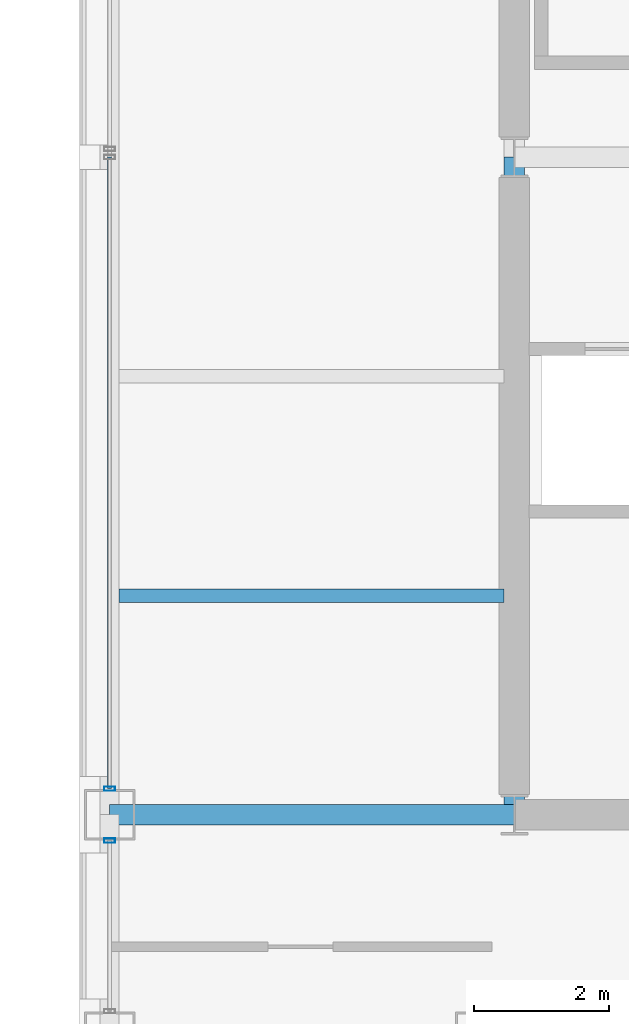
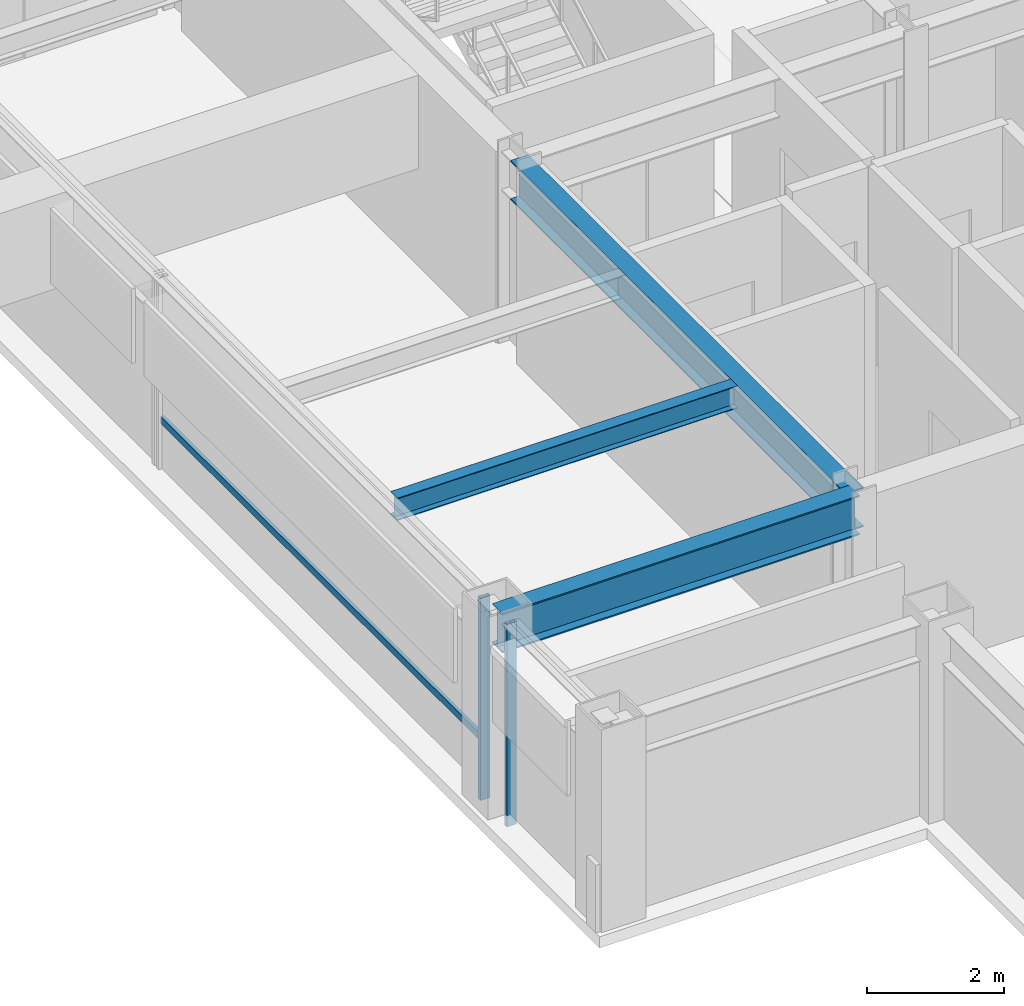
# One storey, part 4 of 28: 3 beams, 3 members, 2 elements without a shape of their own.
"""IFC4 building model written with IfcOpenShell, lengths in metres."""

from ifc_helpers import new_model, si_unit, direction, frame, origin, origin_2d, place, context, subcontext, project, spatial, hollow_rectangle, i_section, extrude, material, layer, layer_set, material_profile, profile_set, type_object, element, aggregate, save


model = new_model("IFC4")

# Units and contexts
model_context = context("Model", 3, precision=1e-05, world=origin(), true_north=direction((0.0, 1.0)))
body_context = subcontext(model_context, "Body", "Model", "MODEL_VIEW")
ifc_project = project(units=[si_unit("LENGTHUNIT", "METRE"), si_unit("AREAUNIT", "SQUARE_METRE"), si_unit("VOLUMEUNIT", "CUBIC_METRE"), si_unit("PLANEANGLEUNIT", "RADIAN"), si_unit("MASSUNIT", "GRAM", prefix="KILO")], contexts=[model_context])

# Site, building, storey
site_placement = place(None, origin())
site = spatial("IfcSite", under=ifc_project, at=site_placement, CompositionType="ELEMENT")
building_placement = place(site_placement, origin())
building = spatial("IfcBuilding", under=site, at=building_placement, Name="Brelmoor Portico Tower", CompositionType="ELEMENT")
storey_placement = place(building_placement, frame((0.0, 0.0, 155.10009765625)))
storey = spatial("IfcBuildingStorey", under=building, at=storey_placement, Name="L40", CompositionType="ELEMENT", Elevation=155.10009765625)

# Beams
ifc_material_1 = material(Name="Steel Q355B", Category="steel")
ifc_material_profile_1 = material_profile(ifc_material_1, i_section(OverallWidth=0.199951171875, OverallDepth=0.39990234375, WebThickness=0.008056640625, FlangeThickness=0.012939453125, at=origin_2d()), Name="HN 400x200x8x13")
ifc_profile_set_1 = profile_set([ifc_material_profile_1], Name="Steel Q355B")
beam_type_1 = type_object("IfcBeamType", Name="BM-JS-400", PredefinedType="JOIST", material=ifc_profile_set_1)
beam_1_placement = place(storey_placement, frame((-20.409912109375, -6.5, 3.199951171875), z_axis=(1.0, 0.0, 0.0), x_axis=(0.0, 1.0, 0.0)))
element("IfcBeam", 1, at=beam_1_placement, inside=storey, type_object=beam_type_1, Name="L40 Secondary Wing Joist JS-W03", PredefinedType="JOIST", context=body_context, shape_type="SweptSolid", body=[
    extrude(i_section(OverallWidth=0.199951171875, OverallDepth=0.39990234375, WebThickness=0.008056640625, FlangeThickness=0.012939453125, at=origin_2d()), origin(), (0.0, 0.0, 1.0), 5.7099609375),
])
ifc_material_profile_2 = material_profile(ifc_material_1, i_section(OverallWidth=0.300048828125, OverallDepth=0.699951171875, WebThickness=0.012939453125, FlangeThickness=0.02392578125, at=origin_2d()), Name="HN 700x300x13x24")
ifc_profile_set_2 = profile_set([ifc_material_profile_2], Name="Steel Q355B")
beam_type_2 = type_object("IfcBeamType", Name="BM-PG-700", PredefinedType="BEAM", material=ifc_profile_set_2)
beam_2_placement = place(storey_placement, frame((-14.550048828125, -9.75, 3.0498046875), z_axis=(0.0, 1.0, 0.0), x_axis=(-1.0, 0.0, 0.0)))
element("IfcBeam", 2, at=beam_2_placement, inside=storey, type_object=beam_type_2, Name="L40 Primary Floor Girder PG-01", PredefinedType="BEAM", context=body_context, shape_type="SweptSolid", body=[
    extrude(i_section(OverallWidth=0.300048828125, OverallDepth=0.699951171875, WebThickness=0.012939453125, FlangeThickness=0.02392578125, at=origin_2d()), origin(), (0.0, 0.0, 1.0), 9.75),
])
beam_3_placement = place(storey_placement, frame((-20.550048828125, -9.75, 3.0498046875), z_axis=(1.0, 0.0, 0.0), x_axis=(0.0, 1.0, 0.0)))
element("IfcBeam", 3, at=beam_3_placement, inside=storey, type_object=beam_type_2, Name="L40 Primary Floor Girder PG-10", PredefinedType="BEAM", context=body_context, shape_type="SweptSolid", body=[
    extrude(i_section(OverallWidth=0.300048828125, OverallDepth=0.699951171875, WebThickness=0.012939453125, FlangeThickness=0.02392578125, at=origin_2d()), origin(), (0.0, 0.0, 1.0), 6.0),
])

# Curtain wall, member
ifc_material_2 = material(Name="Anodised Aluminium Alloy 6063-T6", Category="aluminium")
ifc_layer_1 = layer(ifc_material_2, 0.179931640625)
ifc_layer_set_1 = layer_set([ifc_layer_1], Name="Anodised Aluminium Alloy 6063-T6")
curtain_wall_type_1 = type_object("IfcCurtainWallType", Name="CW-TOWER-Z3-XB", PredefinedType="NOTDEFINED", material=ifc_layer_set_1)
curtain_wall_1_placement = place(storey_placement, origin())
curtain_wall_1 = element("IfcCurtainWall", 4, at=curtain_wall_1_placement, inside=storey, type_object=curtain_wall_type_1, Name="L40 Curtain Wall CW-L40-03-1", PredefinedType="NOTDEFINED")
ifc_material_profile_3 = material_profile(ifc_material_2, hollow_rectangle(XDim=0.06494140625, YDim=0.1650390625, WallThickness=0.00390625, at=origin_2d()), Name="ALU MULLION 65x165")
ifc_profile_set_3 = profile_set([ifc_material_profile_3], Name="Anodised Aluminium Alloy 6063-T6")
member_type_1 = type_object("IfcMemberType", Name="MB-CW-MULL-165", PredefinedType="MULLION", material=ifc_profile_set_3)
member_1_placement = place(storey_placement, frame((-20.550048828125, -10.135009765625, -0.2001953125), z_axis=(0.0, 0.0, 1.0), x_axis=(0.0, 1.0, 0.0)))
member_1 = element("IfcMember", 5, at=member_1_placement, type_object=member_type_1, Name="CW-L40-03-1 Mullion 01", PredefinedType="MULLION", context=body_context, shape_type="SweptSolid", body=[
    extrude(hollow_rectangle(XDim=0.06494140625, YDim=0.1650390625, WallThickness=0.00390625, at=origin_2d()), origin(), (0.0, 0.0, 1.0), 3.60009765625),
])
aggregate(curtain_wall_1, [member_1])

# Curtain wall, members
ifc_layer_2 = layer(ifc_material_2, 0.179931640625)
ifc_layer_set_2 = layer_set([ifc_layer_2], Name="Anodised Aluminium Alloy 6063-T6")
curtain_wall_type_2 = type_object("IfcCurtainWallType", Name="CW-TOWER-Z3", PredefinedType="NOTDEFINED", material=ifc_layer_set_2)
curtain_wall_2_placement = place(storey_placement, origin())
curtain_wall_2 = element("IfcCurtainWall", 6, at=curtain_wall_2_placement, inside=storey, type_object=curtain_wall_type_2, Name="L40 Curtain Wall CW-L40-03-2a", PredefinedType="NOTDEFINED")
member_2_placement = place(storey_placement, frame((-20.550048828125, -9.364990234375, -0.2001953125), z_axis=(0.0, 0.0, 1.0), x_axis=(0.0, 1.0, 0.0)))
member_2 = element("IfcMember", 7, at=member_2_placement, type_object=member_type_1, Name="CW-L40-03-2a Mullion 00", PredefinedType="MULLION", context=body_context, shape_type="SweptSolid", body=[
    extrude(hollow_rectangle(XDim=0.06494140625, YDim=0.1650390625, WallThickness=0.00390625, at=origin_2d()), origin(), (0.0, 0.0, 1.0), 3.60009765625),
])
ifc_material_profile_4 = material_profile(ifc_material_2, hollow_rectangle(XDim=0.06005859375, YDim=0.125, WallThickness=0.00341796875, at=origin_2d()), Name="ALU TRANSOM 60x125")
ifc_profile_set_4 = profile_set([ifc_material_profile_4], Name="Anodised Aluminium Alloy 6063-T6")
member_type_2 = type_object("IfcMemberType", Name="MB-CW-TRAN-125", PredefinedType="USERDEFINED", material=ifc_profile_set_4)
member_3_placement = place(storey_placement, frame((-20.550048828125, -9.364990234375, 0.849853515625), z_axis=(0.0, 1.0, 0.0), x_axis=(-1.0, 0.0, 0.0)))
member_3 = element("IfcMember", 8, at=member_3_placement, type_object=member_type_2, Name="CW-L40-03-2a Transom 1-00", ObjectType="TRANSOM", PredefinedType="USERDEFINED", context=body_context, shape_type="SweptSolid", body=[
    extrude(hollow_rectangle(XDim=0.06005859375, YDim=0.125, WallThickness=0.00341796875, at=origin_2d()), origin(), (0.0, 0.0, 1.0), 9.364990234375),
])
aggregate(curtain_wall_2, [member_2, member_3])

save(model, "model.ifc")
